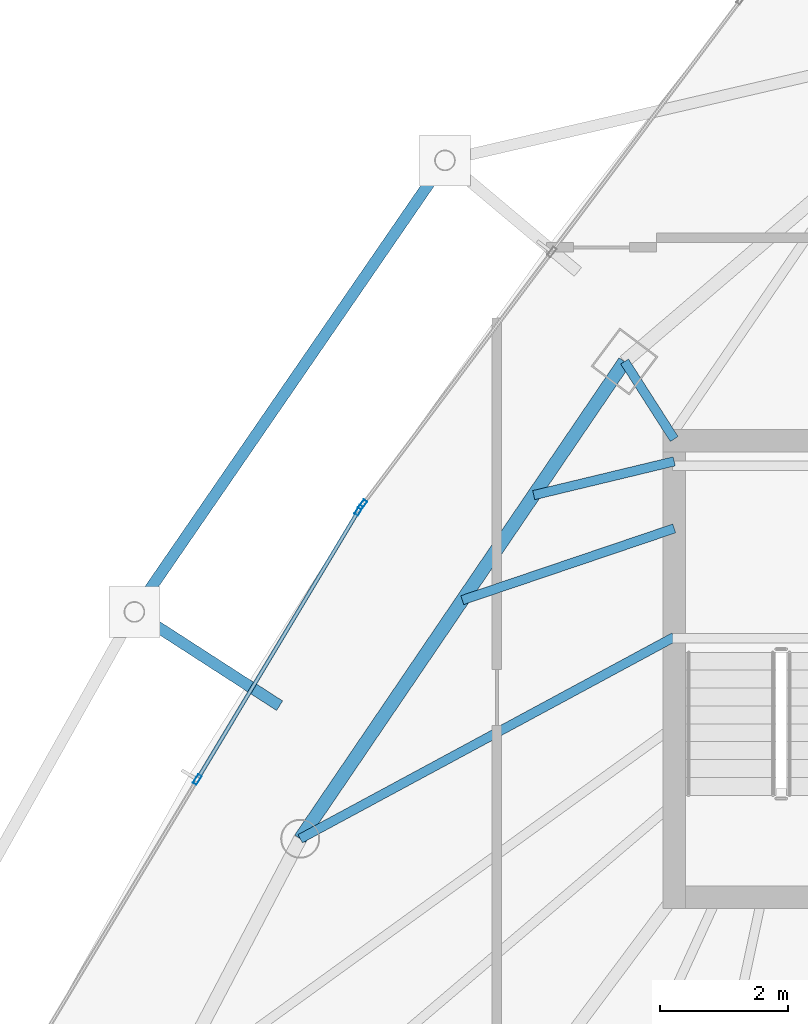
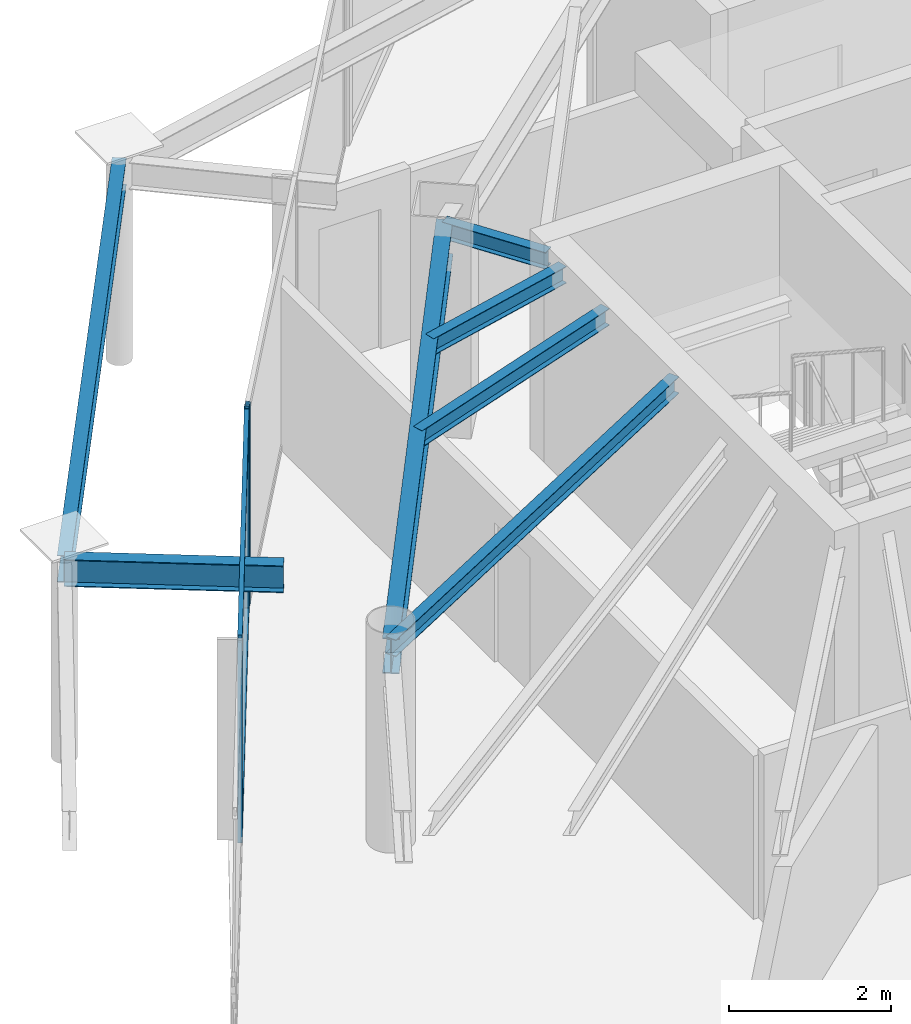
# One storey, part 12 of 30: 7 beams, 5 members, 2 elements without a shape of their own.
"""IFC4 building model written with IfcOpenShell, lengths in metres."""

import ifcopenshell
import ifcopenshell.guid

model = None  # the IFC model being written
_history = None  # IfcOwnerHistory: only IFC2X3 demands one
_inside = {}  # id of a spatial element -> (the spatial element, [elements in it])
_under = {}  # id of a project, library or spatial element -> (it, [spatial elements below it])
_declared = {}  # id of a project -> (the project, [libraries it declares])
_typed = {}  # id of a type object -> (the type object, [elements of that type])
_made_of = {}  # id of a material, layer set ... -> (it, [elements and type objects made of it])


def new_model(schema):
    """Start an empty IFC model of exactly this schema.

    Asked for "IFC4X3", IfcOpenShell would pick the latest addendum, in which some entities
    have other attributes; the version numbers below select the first issue.
    IFC2X3 requires an IfcOwnerHistory on every rooted entity: one is made here for all.
    """
    global model, _history
    if schema == "IFC4X3":
        model = ifcopenshell.file(schema_version=(4, 3, 0, 0))
    else:
        model = ifcopenshell.file(schema=schema)
    _inside.clear()
    _under.clear()
    _declared.clear()
    _typed.clear()
    _made_of.clear()
    _history = None
    if model.schema == "IFC2X3":
        org = make("IfcOrganization", Name="unknown")
        user = make(
            "IfcPersonAndOrganization",
            ThePerson=make("IfcPerson", FamilyName="unknown"),
            TheOrganization=org,
        )
        app = make(
            "IfcApplication",
            ApplicationDeveloper=org,
            Version="unknown",
            ApplicationFullName="unknown",
            ApplicationIdentifier="unknown",
        )
        _history = make(
            "IfcOwnerHistory",
            OwningUser=user,
            OwningApplication=app,
            ChangeAction="ADDED",
            CreationDate=0,
        )
    return model


def make(cls, **values):
    """One entity of the class cls with the attributes given. An attribute that is None is left unset."""
    return model.create_entity(
        cls, **{name: value for name, value in values.items() if value is not None}
    )


def rooted(cls, **values):
    """An entity with a GlobalId (a new one), such as an element, a storey or a relation."""
    return make(cls, GlobalId=ifcopenshell.guid.new(), OwnerHistory=_history, **values)


def si_unit(unit_type, name, prefix=None):
    """IfcSIUnit, for example si_unit("LENGTHUNIT", "METRE", prefix="MILLI")."""
    return make("IfcSIUnit", UnitType=unit_type, Prefix=prefix, Name=name)


def assignment(units):
    """IfcUnitAssignment: the units of a project."""
    return None if units is None else make("IfcUnitAssignment", Units=units)


def point(xyz):
    """IfcCartesianPoint."""
    return None if xyz is None else make("IfcCartesianPoint", Coordinates=xyz)


def direction(xyz):
    """IfcDirection."""
    return None if xyz is None else make("IfcDirection", DirectionRatios=xyz)


def frame(location, z_axis=None, x_axis=None):
    """IfcAxis2Placement3D, a coordinate frame: its origin and axes. An axis left out is left unset."""
    return make(
        "IfcAxis2Placement3D",
        Location=point(location),
        Axis=direction(z_axis),
        RefDirection=direction(x_axis),
    )


def frame_2d(location, x_axis=None):
    """IfcAxis2Placement2D, a coordinate frame in the plane: its origin and x axis."""
    return make(
        "IfcAxis2Placement2D", Location=point(location), RefDirection=direction(x_axis)
    )


def origin():
    """The frame at (0, 0, 0) with its axes left unset."""
    return frame((0.0, 0.0, 0.0))


def origin_2d():
    """The frame at (0, 0) in the plane with its x axis left unset."""
    return frame_2d((0.0, 0.0))


def place(relative_to, where):
    """IfcLocalPlacement: puts the frame where relative to a parent placement (None: the world)."""
    return make(
        "IfcLocalPlacement", PlacementRelTo=relative_to, RelativePlacement=where
    )


def context(
    kind, dimensions, precision=None, world=None, true_north=None, identifier=None
):
    """IfcGeometricRepresentationContext, for example the 3D "Model" context."""
    return make(
        "IfcGeometricRepresentationContext",
        ContextIdentifier=identifier,
        ContextType=kind,
        CoordinateSpaceDimension=dimensions,
        Precision=precision,
        WorldCoordinateSystem=world,
        TrueNorth=true_north,
    )


def subcontext(parent, identifier, kind, view, scale=None):
    """IfcGeometricRepresentationSubContext, for example "Body" below "Model"."""
    return make(
        "IfcGeometricRepresentationSubContext",
        ContextIdentifier=identifier,
        ContextType=kind,
        ParentContext=parent,
        TargetScale=scale,
        TargetView=view,
    )


def project(units=None, contexts=None):
    """IfcProject with its units and contexts."""
    return rooted(
        "IfcProject",
        Name="project",
        RepresentationContexts=contexts,
        UnitsInContext=assignment(units),
    )


def spatial(cls, under=None, at=None, **own):
    """A site, building, storey or space (cls), placed at a placement, below another one or the project."""
    s = rooted(cls, ObjectPlacement=at, **own)
    if under is not None:
        _under.setdefault(under.id(), (under, []))[1].append(s)
    return s


def profile(cls, at=None, kind="AREA", **sizes):
    """A parametric profile (cls). Its sizes go by their IFC names, for example OverallWidth=200.0."""
    return make(cls, ProfileType=kind, Position=at, **sizes)


def hollow_rectangle(**sizes):
    """IfcRectangleHollowProfileDef."""
    return profile("IfcRectangleHollowProfileDef", **sizes)


def i_section(**sizes):
    """IfcIShapeProfileDef."""
    return profile("IfcIShapeProfileDef", **sizes)


def extrude(swept, where, along, depth):
    """IfcExtrudedAreaSolid: the profile swept, set in the frame where, extruded along a direction by depth."""
    return make(
        "IfcExtrudedAreaSolid",
        SweptArea=swept,
        Position=where,
        ExtrudedDirection=direction(along),
        Depth=depth,
    )


def shape(context_of_items, identifier, shape_type, items):
    """IfcShapeRepresentation: the items that make up one representation, for example the "Body"."""
    return make(
        "IfcShapeRepresentation",
        ContextOfItems=context_of_items,
        RepresentationIdentifier=identifier,
        RepresentationType=shape_type,
        Items=items,
    )


def material(Name=None, Category=None):
    """IfcMaterial."""
    return make("IfcMaterial", Name=Name, Category=Category)


def layer(
    of_material, thickness, ventilated=None, Name=None, Category=None, Priority=None
):
    """IfcMaterialLayer: one layer of a wall or slab, of a material (None: an air gap)."""
    return make(
        "IfcMaterialLayer",
        Material=of_material,
        LayerThickness=thickness,
        IsVentilated=ventilated,
        Name=Name,
        Category=Category,
        Priority=Priority,
    )


def layer_set(layers, Name=None):
    """IfcMaterialLayerSet."""
    return make("IfcMaterialLayerSet", MaterialLayers=layers, LayerSetName=Name)


def material_profile(
    of_material, cross_section, Name=None, Category=None, Priority=None
):
    """IfcMaterialProfile: a cross section and its material."""
    return make(
        "IfcMaterialProfile",
        Name=Name,
        Material=of_material,
        Profile=cross_section,
        Priority=Priority,
        Category=Category,
    )


def profile_set(profiles, Name=None, composite=None):
    """IfcMaterialProfileSet."""
    return make(
        "IfcMaterialProfileSet",
        Name=Name,
        MaterialProfiles=profiles,
        CompositeProfile=composite,
    )


def made_of(thing, what):
    """Note that an element or type object is made of a material, layer set ...; save() writes the relation."""
    if what is not None:
        _made_of.setdefault(what.id(), (what, []))[1].append(thing)
    return thing


def type_object(cls, material=None, **own):
    """A type object (cls), such as IfcWallType, which elements share."""
    return made_of(rooted(cls, **own), material)


def element(
    cls,
    number,
    at=None,
    inside=None,
    cuts=None,
    type_object=None,
    material=None,
    context=None,
    identifier="Body",
    shape_type=None,
    held_by="IfcProductDefinitionShape",
    body=None,
    shapes=None,
    **own,
):
    """One element of the class cls, such as IfcWall. Its Tag is "e" and its number.

    at: its placement. inside: the storey or other place that contains it. cuts: it is an
    opening in that element (IfcRelVoidsElement). A single representation is given by context,
    identifier, shape_type and body (its items); several are given by shapes. held_by: the class
    of the entity that holds the representations. save() writes the other relations.
    """
    e = rooted(cls, Tag="e%d" % number, ObjectPlacement=at, **own)
    if body is not None:
        shapes = [shape(context, identifier, shape_type, body)]
    if shapes is not None:
        e.Representation = make(held_by, Representations=shapes)
    if inside is not None:
        _inside.setdefault(inside.id(), (inside, []))[1].append(e)
    if cuts is not None:
        rooted(
            "IfcRelVoidsElement", RelatingBuildingElement=cuts, RelatedOpeningElement=e
        )
    if type_object is not None:
        _typed.setdefault(type_object.id(), (type_object, []))[1].append(e)
    return made_of(e, material)


def aggregate(whole, parts):
    """IfcRelAggregates: a whole, such as a stair, and the parts it consists of."""
    return rooted("IfcRelAggregates", RelatingObject=whole, RelatedObjects=parts)


def save(model, path):
    """Write the relations noted so far, then the file.

    IfcRelAggregates (storeys below a building ...), IfcRelContainedInSpatialStructure (elements
    in a storey), IfcRelDefinesByType, IfcRelAssociatesMaterial and IfcRelDeclares: one each for
    every whole, place, type object, material and project.
    """
    for whole, parts in _under.values():
        aggregate(whole, parts)
    for where, things in _inside.values():
        rooted(
            "IfcRelContainedInSpatialStructure",
            RelatedElements=things,
            RelatingStructure=where,
        )
    for kind, things in _typed.values():
        rooted("IfcRelDefinesByType", RelatedObjects=things, RelatingType=kind)
    for what, things in _made_of.values():
        rooted("IfcRelAssociatesMaterial", RelatedObjects=things, RelatingMaterial=what)
    for by, libraries in _declared.values():
        rooted("IfcRelDeclares", RelatingContext=by, RelatedDefinitions=libraries)
    model.write(path)


model = new_model("IFC4")

# Units and contexts
model_context = context("Model", 3, precision=1e-05, world=origin(), true_north=direction((0.0, 1.0)))
body_context = subcontext(model_context, "Body", "Model", "MODEL_VIEW")
ifc_project = project(units=[si_unit("LENGTHUNIT", "METRE"), si_unit("AREAUNIT", "SQUARE_METRE"), si_unit("VOLUMEUNIT", "CUBIC_METRE"), si_unit("PLANEANGLEUNIT", "RADIAN"), si_unit("MASSUNIT", "GRAM", prefix="KILO")], contexts=[model_context])

# Site, building, storey
site_placement = place(None, origin())
site = spatial("IfcSite", under=ifc_project, at=site_placement, CompositionType="ELEMENT")
building_placement = place(site_placement, origin())
building = spatial("IfcBuilding", under=site, at=building_placement, Name="Orvanel Arch Residences", CompositionType="ELEMENT")
storey_placement = place(building_placement, frame((0.0, 0.0, 232.699951171875)))
storey = spatial("IfcBuildingStorey", under=building, at=storey_placement, Name="L66", CompositionType="ELEMENT", Elevation=232.699951171875)

# Beams
ifc_material_1 = material(Name="Structural steel AS/NZS 3679.1 Grade 300 (300 MPa)", Category="steel")
ifc_material_profile_1 = material_profile(ifc_material_1, i_section(OverallWidth=0.14599609375, OverallDepth=0.251953125, WebThickness=0.006103515625, FlangeThickness=0.008544921875, at=origin_2d()), Name="250UB31.4")
ifc_profile_set_1 = profile_set([ifc_material_profile_1], Name="Structural steel AS/NZS 3679.1 Grade 300 (300 MPa)")
beam_type_1 = type_object("IfcBeamType", Name="BJ-250UB", PredefinedType="JOIST", material=ifc_profile_set_1)
beam_1_placement = place(storey_placement, frame((26.425048828125, 33.89990234375, 2.89404296875), z_axis=(-0.539395075146, 0.842052820735, 0.0), x_axis=(-0.842052820735, -0.539395075146, 0.0)))
element("IfcBeam", 1, at=beam_1_placement, inside=storey, type_object=beam_type_1, Name="L66 NNW Wing Floor Joist", PredefinedType="JOIST", context=body_context, shape_type="SweptSolid", body=[
    extrude(i_section(OverallWidth=0.14599609375, OverallDepth=0.251953125, WebThickness=0.006103515625, FlangeThickness=0.008544921875, at=origin_2d()), origin(), (0.0, 0.0, 1.0), 1.440673828125),
])
beam_2_placement = place(storey_placement, frame((26.425048828125, 30.800048828125, 2.89404296875), z_axis=(-0.880111494021, -0.474767056664, 0.0), x_axis=(0.474767056664, -0.880111494021, 0.0)))
element("IfcBeam", 2, at=beam_2_placement, inside=storey, type_object=beam_type_1, Name="L66 NW Wing Floor Joist", PredefinedType="JOIST", context=body_context, shape_type="SweptSolid", body=[
    extrude(i_section(OverallWidth=0.14599609375, OverallDepth=0.251953125, WebThickness=0.006103515625, FlangeThickness=0.008544921875, at=origin_2d()), origin(), (0.0, 0.0, 1.0), 6.653564453125),
])
beam_3_placement = place(storey_placement, frame((26.425048828125, 32.5, 2.89404296875), z_axis=(-0.947187956478, -0.320678928373, 0.0), x_axis=(0.320678928373, -0.947187956478, 0.0)))
element("IfcBeam", 3, at=beam_3_placement, inside=storey, type_object=beam_type_1, Name="L66 WNW Wing Floor Joist", PredefinedType="JOIST", context=body_context, shape_type="SweptSolid", body=[
    extrude(i_section(OverallWidth=0.14599609375, OverallDepth=0.251953125, WebThickness=0.006103515625, FlangeThickness=0.008544921875, at=origin_2d()), origin(), (0.0, 0.0, 1.0), 3.502197265625),
])
beam_4_placement = place(storey_placement, frame((26.425048828125, 33.550048828125, 2.89404296875), z_axis=(-0.972256833016, -0.23391590509, 0.0), x_axis=(0.23391590509, -0.972256833016, 0.0)))
element("IfcBeam", 4, at=beam_4_placement, inside=storey, type_object=beam_type_1, Name="L66 JADD3 Wing Floor Joist", PredefinedType="JOIST", context=body_context, shape_type="SweptSolid", body=[
    extrude(i_section(OverallWidth=0.14599609375, OverallDepth=0.251953125, WebThickness=0.006103515625, FlangeThickness=0.008544921875, at=origin_2d()), origin(), (0.0, 0.0, 1.0), 2.26171875),
])

# Curtain wall, member
ifc_material_2 = material(Name="Bronze-anodised aluminium AA6063-T6", Category="aluminium")
ifc_layer = layer(ifc_material_2, 0.175048828125)
ifc_layer_set = layer_set([ifc_layer], Name="Bronze-anodised aluminium AA6063-T6")
curtain_wall_type = type_object("IfcCurtainWallType", Name="CW4-HI-SYS", PredefinedType="NOTDEFINED", material=ifc_layer_set)
curtain_wall_1_placement = place(storey_placement, origin())
curtain_wall_1 = element("IfcCurtainWall", 5, at=curtain_wall_1_placement, inside=storey, type_object=curtain_wall_type, Name="L66 CW4-HI-SYS Unitised Curtain Wall", PredefinedType="NOTDEFINED")
ifc_material_profile_2 = material_profile(ifc_material_2, hollow_rectangle(XDim=0.06494140625, YDim=0.159912109375, WallThickness=0.00390625, at=origin_2d()), Name="ALU160x65x4")
ifc_profile_set_2 = profile_set([ifc_material_profile_2], Name="Bronze-anodised aluminium AA6063-T6")
member_type_1 = type_object("IfcMemberType", Name="MUL-160x65", PredefinedType="MULLION", material=ifc_profile_set_2)
member_1_placement = place(storey_placement, frame((21.54541015625, 32.8720703125, 0.0), z_axis=(0.0, 0.0, 1.0), x_axis=(0.800385756327, -0.599485313473, 0.0)))
member_1 = element("IfcMember", 6, at=member_1_placement, type_object=member_type_1, Name="CW-S4 mullion 3", PredefinedType="MULLION", context=body_context, shape_type="SweptSolid", body=[
    extrude(hollow_rectangle(XDim=0.06494140625, YDim=0.159912109375, WallThickness=0.00390625, at=origin_2d()), origin(), (0.0, 0.0, 1.0), 3.02001953125),
])
aggregate(curtain_wall_1, [member_1])

# Curtain wall, members
curtain_wall_2_placement = place(storey_placement, origin())
curtain_wall_2 = element("IfcCurtainWall", 7, at=curtain_wall_2_placement, inside=storey, type_object=curtain_wall_type, Name="L66 CW4-HI-SYS Unitised Curtain Wall", PredefinedType="NOTDEFINED")
member_2_placement = place(storey_placement, frame((21.4873046875, 32.78515625, 0.0), z_axis=(0.0, 0.0, 1.0), x_axis=(0.857528580719, -0.514436325748, 0.0)))
member_2 = element("IfcMember", 8, at=member_2_placement, type_object=member_type_1, Name="CW-S4 mullion 1", PredefinedType="MULLION", context=body_context, shape_type="SweptSolid", body=[
    extrude(hollow_rectangle(XDim=0.06494140625, YDim=0.159912109375, WallThickness=0.00390625, at=origin_2d()), origin(), (0.0, 0.0, 1.0), 3.02001953125),
])
member_3_placement = place(storey_placement, frame((18.9580078125, 28.569091796875, 0.0), z_axis=(0.0, 0.0, 1.0), x_axis=(0.857528580719, -0.514436325748, 0.0)))
member_3 = element("IfcMember", 9, at=member_3_placement, type_object=member_type_1, Name="CW-S4 mullion 2", PredefinedType="MULLION", context=body_context, shape_type="SweptSolid", body=[
    extrude(hollow_rectangle(XDim=0.06494140625, YDim=0.159912109375, WallThickness=0.00390625, at=origin_2d()), origin(), (0.0, 0.0, 1.0), 3.02001953125),
])

# Beams
ifc_material_profile_3 = material_profile(ifc_material_1, i_section(OverallWidth=0.177978515625, OverallDepth=0.406005859375, WebThickness=0.0078125, FlangeThickness=0.0126953125, at=origin_2d()), Name="410UB59.7")
ifc_profile_set_3 = profile_set([ifc_material_profile_3], Name="Structural steel AS/NZS 3679.1 Grade 300 (300 MPa)")
beam_type_2 = type_object("IfcBeamType", Name="OB-410UB-EXT", PredefinedType="SPANDREL", material=ifc_profile_set_3)
beam_5_placement = place(storey_placement, frame((22.8359375, 38.262939453125, 2.817138671875), z_axis=(-0.566729250938, -0.823904094013, 0.0), x_axis=(0.823904094013, -0.566729250938, 0.0)))
element("IfcBeam", 10, at=beam_5_placement, inside=storey, type_object=beam_type_2, Name="L66 Outer Perimeter Floor Ring Beam 01", PredefinedType="SPANDREL", context=body_context, shape_type="SweptSolid", body=[
    extrude(i_section(OverallWidth=0.177978515625, OverallDepth=0.406005859375, WebThickness=0.0078125, FlangeThickness=0.0126953125, at=origin_2d()), origin(), (0.0, 0.0, 1.0), 8.580810546875),
])
beam_6_placement = place(storey_placement, frame((20.2470703125, 29.72412109375, 2.817138671875), z_axis=(-0.8399957091, 0.542593041509, 0.0), x_axis=(-0.542593041509, -0.8399957091, 0.0)))
element("IfcBeam", 11, at=beam_6_placement, inside=storey, type_object=beam_type_2, Name="L66 Outer Frame Radial Tie Beam 02", PredefinedType="SPANDREL", context=body_context, shape_type="SweptSolid", body=[
    extrude(i_section(OverallWidth=0.177978515625, OverallDepth=0.406005859375, WebThickness=0.0078125, FlangeThickness=0.0126953125, at=origin_2d()), origin(), (0.0, 0.0, 1.0), 2.707275390625),
])
ifc_material_profile_4 = material_profile(ifc_material_1, i_section(OverallWidth=0.208984375, OverallDepth=0.532958984375, WebThickness=0.01025390625, FlangeThickness=0.015625, at=origin_2d()), Name="530UB92.4")
ifc_profile_set_4 = profile_set([ifc_material_profile_4], Name="Structural steel AS/NZS 3679.1 Grade 300 (300 MPa)")
beam_type_3 = type_object("IfcBeamType", Name="SP-530UB", PredefinedType="SPANDREL", material=ifc_profile_set_4)
beam_7_placement = place(storey_placement, frame((25.64794921875, 35.113037109375, 2.7529296875), z_axis=(-0.562154793153, -0.827032035978, 0.0), x_axis=(0.827032035978, -0.562154793153, 0.0)))
element("IfcBeam", 12, at=beam_7_placement, inside=storey, type_object=beam_type_3, Name="L66 Perimeter Spandrel Beam 11", PredefinedType="SPANDREL", context=body_context, shape_type="SweptSolid", body=[
    extrude(i_section(OverallWidth=0.208984375, OverallDepth=0.532958984375, WebThickness=0.01025390625, FlangeThickness=0.015625, at=origin_2d()), origin(), (0.0, 0.0, 1.0), 9.03466796875),
])

# Member
ifc_material_profile_5 = material_profile(ifc_material_2, hollow_rectangle(XDim=0.06005859375, YDim=0.1201171875, WallThickness=0.00341796875, at=origin_2d()), Name="ALU120x60x3.5")
ifc_profile_set_5 = profile_set([ifc_material_profile_5], Name="Bronze-anodised aluminium AA6063-T6")
member_type_2 = type_object("IfcMemberType", Name="TRN-120x60", PredefinedType="USERDEFINED", material=ifc_profile_set_5)
member_4_placement = place(storey_placement, frame((21.470458984375, 32.75732421875, 0.030029296875), z_axis=(-0.514436552453, -0.857528444718, 0.0), x_axis=(0.857528444718, -0.514436552453, 0.0)))
member_4 = element("IfcMember", 13, at=member_4_placement, type_object=member_type_2, Name="CW-S4 transom 1.1", ObjectType="TRANSOM", PredefinedType="USERDEFINED", context=body_context, shape_type="SweptSolid", body=[
    extrude(hollow_rectangle(XDim=0.06005859375, YDim=0.1201171875, WallThickness=0.00341796875, at=origin_2d()), origin(), (0.0, 0.0, 1.0), 4.8515625),
])

member_5_placement = place(storey_placement, frame((21.470458984375, 32.75732421875, 2.989990234375), z_axis=(-0.514436552453, -0.857528444718, 0.0), x_axis=(0.857528444718, -0.514436552453, 0.0)))
member_5 = element("IfcMember", 14, at=member_5_placement, type_object=member_type_2, Name="CW-S4 transom 1.2", ObjectType="TRANSOM", PredefinedType="USERDEFINED", context=body_context, shape_type="SweptSolid", body=[
    extrude(hollow_rectangle(XDim=0.06005859375, YDim=0.1201171875, WallThickness=0.00341796875, at=origin_2d()), origin(), (0.0, 0.0, 1.0), 4.8515625),
])

aggregate(curtain_wall_2, [member_2, member_3, member_4, member_5])

save(model, "model.ifc")
